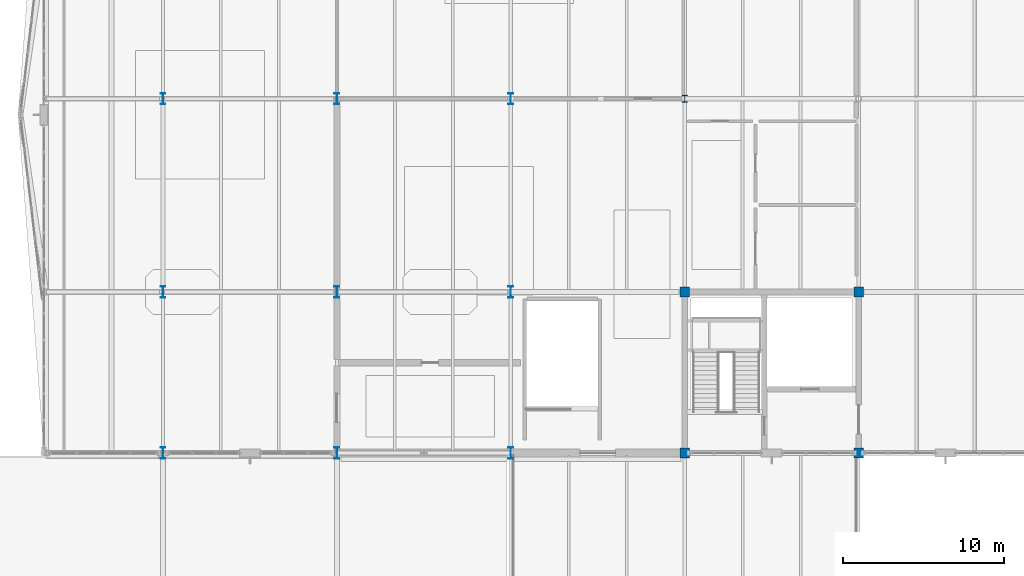
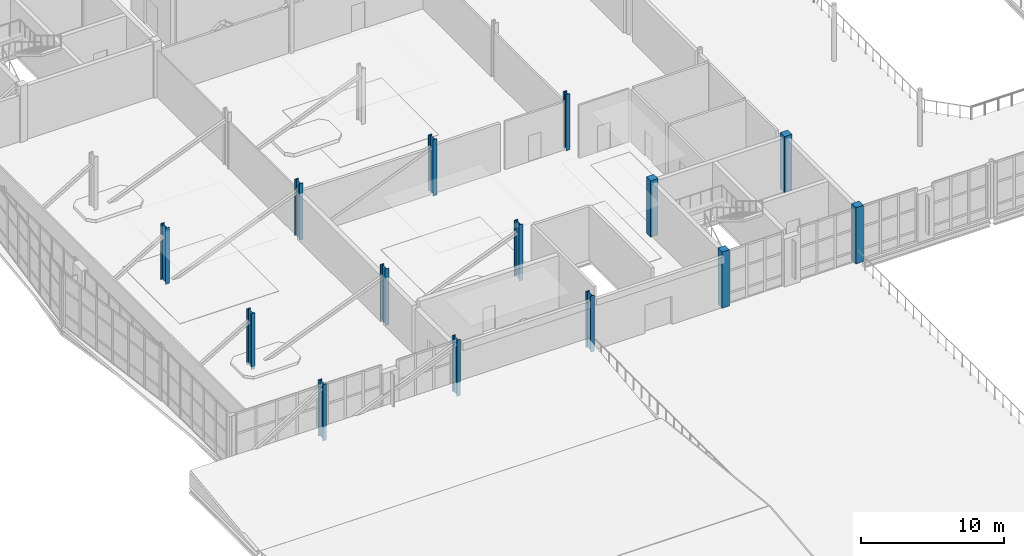
# One storey, part 1 of 100: 14 columns.
"""IFC4 building model written with IfcOpenShell, lengths in metres."""

from ifc_helpers import new_model, si_unit, direction, frame, origin, origin_2d, place, context, subcontext, project, spatial, rectangle, i_section, extrude, material, material_profile, profile_set, type_object, element, save


model = new_model("IFC4")

# Units and contexts
model_context = context("Model", 3, precision=1e-05, world=origin(), true_north=direction((0.0, 1.0)))
body_context = subcontext(model_context, "Body", "Model", "MODEL_VIEW")
ifc_project = project(units=[si_unit("LENGTHUNIT", "METRE"), si_unit("AREAUNIT", "SQUARE_METRE"), si_unit("VOLUMEUNIT", "CUBIC_METRE"), si_unit("PLANEANGLEUNIT", "RADIAN"), si_unit("MASSUNIT", "GRAM", prefix="KILO")], contexts=[model_context])

# Site, building, storey
site_placement = place(None, origin())
site = spatial("IfcSite", under=ifc_project, at=site_placement, CompositionType="ELEMENT")
building_placement = place(site_placement, origin())
building = spatial("IfcBuilding", under=site, at=building_placement, Name="Tasgan Crest Museum", CompositionType="ELEMENT")
storey_placement = place(building_placement, frame((0.0, 0.0, 9.60009765625)))
storey = spatial("IfcBuildingStorey", under=building, at=storey_placement, Name="L02", CompositionType="ELEMENT", Elevation=9.60009765625)

# Columns
ifc_material_1 = material(Name="Steel S355J2", Category="steel")
ifc_material_profile_1 = material_profile(ifc_material_1, i_section(OverallWidth=0.300048828125, OverallDepth=0.449951171875, WebThickness=0.013916015625, FlangeThickness=0.02587890625, FilletRadius=0.027099609375, at=origin_2d()), Name="HEB 450")
ifc_profile_set_1 = profile_set([ifc_material_profile_1], Name="Steel S355J2")
column_type_1 = type_object("IfcColumnType", Name="COL-HEB450", PredefinedType="COLUMN", material=ifc_profile_set_1)
column_placement = place(storey_placement, frame((43.199951171875, 62.0, 0.0), z_axis=(0.0, 0.0, 1.0), x_axis=(1.0, 0.0, 0.0)))
element("IfcColumn", 1, at=column_placement, inside=storey, type_object=column_type_1, Name="Column 5/G L02", PredefinedType="COLUMN", context=body_context, shape_type="SweptSolid", body=[
    extrude(i_section(OverallWidth=0.300048828125, OverallDepth=0.449951171875, WebThickness=0.013916015625, FlangeThickness=0.02587890625, FilletRadius=0.027099609375, at=origin_2d()), origin(), (0.0, 0.0, 1.0), 4.7998046875),
])
ifc_material_2 = material(Name="Steel S355K2", Category="steel")
ifc_material_profile_2 = material_profile(ifc_material_2, i_section(OverallWidth=0.300048828125, OverallDepth=0.699951171875, WebThickness=0.01708984375, FlangeThickness=0.031982421875, FilletRadius=0.027099609375, at=origin_2d()), Name="HEB 700")
ifc_profile_set_2 = profile_set([ifc_material_profile_2], Name="Steel S355K2")
column_type_2 = type_object("IfcColumnType", Name="COL-HEB700", PredefinedType="COLUMN", material=ifc_profile_set_2)
for number, where, z_axis, x_axis, name in (
    (2, (10.800048828125, 40.0, 0.0), (0.0, 0.0, 1.0), (1.0, 0.0, 0.0), "Column 2/E L02"),
    (3, (10.800048828125, 50.0, 0.0), (0.0, 0.0, 1.0), (1.0, 0.0, 0.0), "Column 2/F L02"),
    (4, (10.800048828125, 62.0, 0.0), (0.0, 0.0, 1.0), (1.0, 0.0, 0.0), "Column 2/G L02"),
    (5, (21.60009765625, 40.0, 0.0), (0.0, 0.0, 1.0), (1.0, 0.0, 0.0), "Column 3/E L02"),
    (6, (21.60009765625, 50.0, 0.0), (0.0, 0.0, 1.0), (1.0, 0.0, 0.0), "Column 3/F L02"),
    (7, (21.60009765625, 62.0, 0.0), (0.0, 0.0, 1.0), (1.0, 0.0, 0.0), "Column 3/G L02"),
    (8, (32.39990234375, 40.0, 0.0), (0.0, 0.0, 1.0), (1.0, 0.0, 0.0), "Column 4/E L02"),
    (9, (32.39990234375, 50.0, 0.0), (0.0, 0.0, 1.0), (1.0, 0.0, 0.0), "Column 4/F L02"),
    (10, (32.39990234375, 62.0, 0.0), (0.0, 0.0, 1.0), (1.0, 0.0, 0.0), "Column 4/G L02"),
):
    element("IfcColumn", number, at=place(storey_placement, frame(where, z_axis=z_axis, x_axis=x_axis)), inside=storey, type_object=column_type_2, Name=name, PredefinedType="COLUMN", context=body_context, shape_type="SweptSolid", body=[
        extrude(i_section(OverallWidth=0.300048828125, OverallDepth=0.699951171875, WebThickness=0.01708984375, FlangeThickness=0.031982421875, FilletRadius=0.027099609375, at=origin_2d()), origin(), (0.0, 0.0, 1.0), 4.7998046875),
    ])
ifc_material_3 = material(Name="Concrete C40/50", Category="concrete")
ifc_material_profile_3 = material_profile(ifc_material_3, rectangle(XDim=0.60009765625, YDim=0.60009765625, at=origin_2d()), Name="RC 600x600")
ifc_profile_set_3 = profile_set([ifc_material_profile_3], Name="Concrete C40/50")
column_type_3 = type_object("IfcColumnType", Name="COL-RC600", PredefinedType="COLUMN", material=ifc_profile_set_3)
for number, where, z_axis, x_axis, name in (
    (11, (43.199951171875, 40.0, 0.0), (0.0, 0.0, 1.0), (1.0, 0.0, 0.0), "Column 5/E L02"),
    (12, (43.199951171875, 50.0, 0.0), (0.0, 0.0, 1.0), (1.0, 0.0, 0.0), "Column 5/F L02"),
    (13, (54.0, 40.0, 0.0), (0.0, 0.0, 1.0), (1.0, 0.0, 0.0), "Column 6/E L02"),
    (14, (54.0, 50.0, 0.0), (0.0, 0.0, 1.0), (1.0, 0.0, 0.0), "Column 6/F L02"),
):
    element("IfcColumn", number, at=place(storey_placement, frame(where, z_axis=z_axis, x_axis=x_axis)), inside=storey, type_object=column_type_3, Name=name, PredefinedType="COLUMN", context=body_context, shape_type="SweptSolid", body=[
        extrude(rectangle(XDim=0.60009765625, YDim=0.60009765625, at=origin_2d()), origin(), (0.0, 0.0, 1.0), 4.7998046875),
    ])

save(model, "model.ifc")
